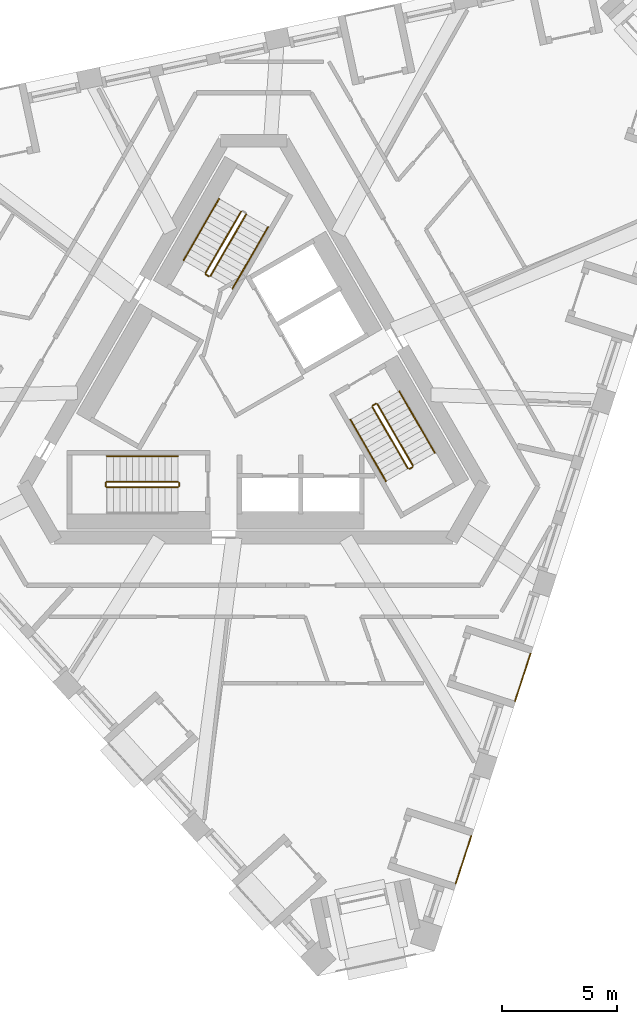
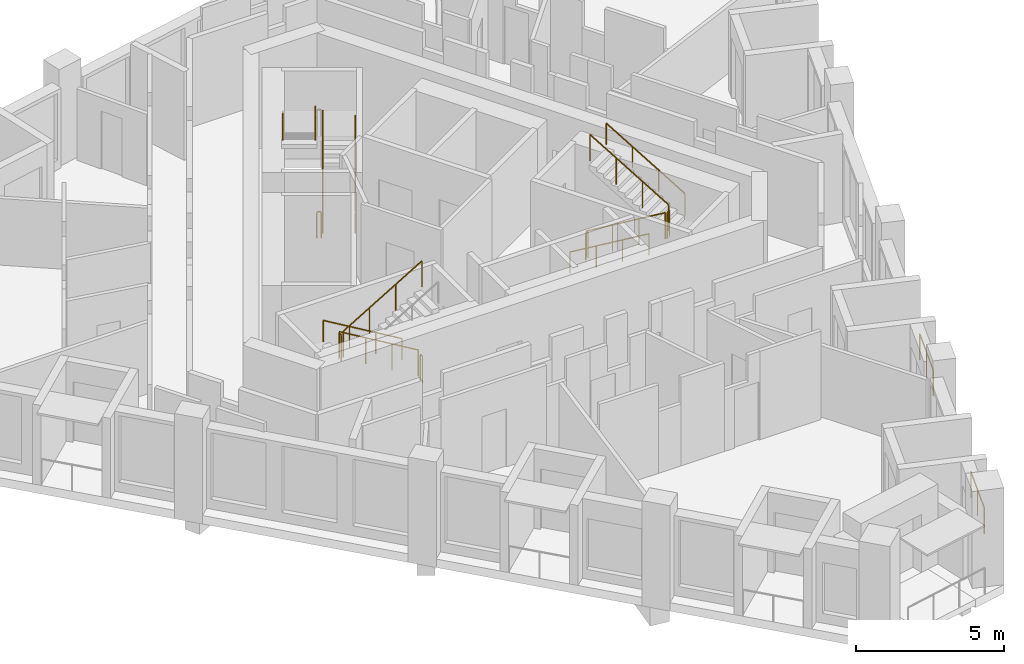
# One storey, part 10 of 12: 18 railings.
"""IFC4 building model written with IfcOpenShell, lengths in metres."""

from ifc_helpers import new_model, si_unit, direction, frame, origin, origin_2d, place, context, subcontext, project, spatial, circle, extrude, material, type_object, element, save


model = new_model("IFC4")

# Units and contexts
model_context = context("Model", 3, precision=1e-05, world=origin(), true_north=direction((0.0, 1.0)))
body_context = subcontext(model_context, "Body", "Model", "MODEL_VIEW")
ifc_project = project(units=[si_unit("LENGTHUNIT", "METRE"), si_unit("AREAUNIT", "SQUARE_METRE"), si_unit("VOLUMEUNIT", "CUBIC_METRE"), si_unit("PLANEANGLEUNIT", "RADIAN"), si_unit("MASSUNIT", "GRAM", prefix="KILO")], contexts=[model_context])

# Site, building, storey
site_placement = place(None, origin())
site = spatial("IfcSite", under=ifc_project, at=site_placement, CompositionType="ELEMENT")
building_placement = place(site_placement, origin())
building = spatial("IfcBuilding", under=site, at=building_placement, Name="Tramontana Tower", CompositionType="ELEMENT")
storey_placement = place(building_placement, frame((0.0, 0.0, 320.39990234375)))
storey = spatial("IfcBuildingStorey", under=building, at=storey_placement, Name="L73", CompositionType="ELEMENT", Elevation=320.39990234375)

# Railings
ifc_material_1 = material(Name="Laminated glass balustrade", Category="glass")
railing_type_1 = type_object("IfcRailingType", Name="GD1 Loggia glass balustrade 1100", PredefinedType="BALUSTRADE", material=ifc_material_1)
for number, where, name in (
    (1, (8.763671875, -21.472412109375, 0.0), "Loggia balustrade L73 G8S1.1"),
    (2, (11.332763671875, -13.5654296875, 0.0), "Loggia balustrade L73 G8S1.4"),
):
    element("IfcRailing", number, at=place(storey_placement, frame(where)), inside=storey, type_object=railing_type_1, Name=name, PredefinedType="BALUSTRADE", context=body_context, shape_type="SweptSolid", body=[
        extrude(circle(Radius=0.02392578125, at=origin_2d()), frame((0.0, 0.0, 1.076171875), z_axis=(0.308999623589, 0.95106216023, 0.0), x_axis=(-0.95106216023, 0.308999623589, 0.0)), (0.0, 0.0, 1.0), 2.171142578125),
        extrude(circle(Radius=0.02099609375, at=origin_2d()), origin(), (0.0, 0.0, 1.0), 1.052001953125),
        extrude(circle(Radius=0.02099609375, at=origin_2d()), frame((0.33544921875, 1.032470703125, 0.0)), (0.0, 0.0, 1.0), 1.052001953125),
        extrude(circle(Radius=0.02099609375, at=origin_2d()), frame((0.6708984375, 2.06494140625, 0.0)), (0.0, 0.0, 1.0), 1.052001953125),
    ])
ifc_material_2 = material(Name="Painted steel", Category="steel")
railing_type_2 = type_object("IfcRailingType", Name="STAIR GUARD 1100", PredefinedType="GUARDRAIL", material=ifc_material_2)
railing_1_placement = place(storey_placement, frame((-1.867431640625, 4.865478515625, 0.166748046875)))
element("IfcRailing", 3, at=railing_1_placement, inside=storey, type_object=railing_type_2, Name="L73 ST1 stair guard 1", PredefinedType="GUARDRAIL", context=body_context, shape_type="SweptSolid", body=[
    extrude(circle(Radius=0.02392578125, at=origin_2d()), frame((0.0, 0.0, 1.076171875), z_axis=(0.429649414936, 0.744189839504, 0.511451721109), x_axis=(-0.866029832698, 0.499992328818, 0.0)), (0.0, 0.0, 1.0), 3.58447265625),
    extrude(circle(Radius=0.02099609375, at=origin_2d()), origin(), (0.0, 0.0, 1.0), 1.052001953125),
    extrude(circle(Radius=0.02099609375, at=origin_2d()), frame((0.513427734375, 0.88916015625, 0.611083984375)), (0.0, 0.0, 1.0), 1.052001953125),
    extrude(circle(Radius=0.02099609375, at=origin_2d()), frame((1.026611328125, 1.7783203125, 1.22216796875)), (0.0, 0.0, 1.0), 1.052001953125),
    extrude(circle(Radius=0.02099609375, at=origin_2d()), frame((1.5400390625, 2.66748046875, 1.833251953125)), (0.0, 0.0, 1.0), 1.052001953125),
])
railing_2_placement = place(storey_placement, frame((-0.5439453125, 7.657958984375, 2.166748046875)))
element("IfcRailing", 4, at=railing_2_placement, inside=storey, type_object=railing_type_2, Name="L73 ST1 stair guard 2", PredefinedType="GUARDRAIL", context=body_context, shape_type="SweptSolid", body=[
    extrude(circle(Radius=0.02392578125, at=origin_2d()), frame((0.0, 0.0, 1.076171875), z_axis=(-0.429649414936, -0.744189839504, 0.511451721109), x_axis=(0.866029832698, -0.499992328818, 0.0)), (0.0, 0.0, 1.0), 3.58447265625),
    extrude(circle(Radius=0.02099609375, at=origin_2d()), origin(), (0.0, 0.0, 1.0), 1.052001953125),
    extrude(circle(Radius=0.02099609375, at=origin_2d()), frame((-0.513427734375, -0.88916015625, 0.611083984375)), (0.0, 0.0, 1.0), 1.052001953125),
    extrude(circle(Radius=0.02099609375, at=origin_2d()), frame((-1.026611328125, -1.7783203125, 1.22216796875)), (0.0, 0.0, 1.0), 1.052001953125),
    extrude(circle(Radius=0.02099609375, at=origin_2d()), frame((-1.5400390625, -2.66748046875, 1.833251953125)), (0.0, 0.0, 1.0), 1.052001953125),
])
railing_3_placement = place(storey_placement, frame((-1.935791015625, 4.84716796875, 0.0)))
element("IfcRailing", 5, at=railing_3_placement, inside=storey, type_object=railing_type_2, Name="L73 ST1 stair guard 4", PredefinedType="GUARDRAIL", context=body_context, shape_type="SweptSolid", body=[
    extrude(circle(Radius=0.02392578125, at=origin_2d()), frame((0.0, 0.0, 1.076171875), z_axis=(-0.865426285481, 0.501036270542, 0.0), x_axis=(-0.501036270542, -0.865426285481, 0.0)), (0.0, 0.0, 1.0), 0.150146484375),
    extrude(circle(Radius=0.02099609375, at=origin_2d()), origin(), (0.0, 0.0, 1.0), 1.052001953125),
    extrude(circle(Radius=0.02099609375, at=origin_2d()), frame((-0.1298828125, 0.0751953125, 0.0)), (0.0, 0.0, 1.0), 1.052001953125),
])
railing_4_placement = place(storey_placement, frame((-3.280029296875, -4.050048828125, 0.166748046875)))
element("IfcRailing", 6, at=railing_4_placement, inside=storey, type_object=railing_type_2, Name="L73 ST2 stair guard 1", PredefinedType="GUARDRAIL", context=body_context, shape_type="SweptSolid", body=[
    extrude(circle(Radius=0.02392578125, at=origin_2d()), frame((0.0, 0.0, 1.076171875), z_axis=(-0.859308565015, 0.0, 0.511457515432), x_axis=(0.0, -1.0, 0.0)), (0.0, 0.0, 1.0), 3.58447265625),
    extrude(circle(Radius=0.02099609375, at=origin_2d()), origin(), (0.0, 0.0, 1.0), 1.052001953125),
    extrude(circle(Radius=0.02099609375, at=origin_2d()), frame((-1.026611328125, 0.0, 0.611083984375)), (0.0, 0.0, 1.0), 1.052001953125),
    extrude(circle(Radius=0.02099609375, at=origin_2d()), frame((-2.053466796875, 0.0, 1.22216796875)), (0.0, 0.0, 1.0), 1.052001953125),
    extrude(circle(Radius=0.02099609375, at=origin_2d()), frame((-3.080078125, 0.0, 1.833251953125)), (0.0, 0.0, 1.0), 1.052001953125),
])
railing_5_placement = place(storey_placement, frame((-6.360107421875, -4.300048828125, 2.166748046875)))
element("IfcRailing", 7, at=railing_5_placement, inside=storey, type_object=railing_type_2, Name="L73 ST2 stair guard 2", PredefinedType="GUARDRAIL", context=body_context, shape_type="SweptSolid", body=[
    extrude(circle(Radius=0.02392578125, at=origin_2d()), frame((0.0, 0.0, 1.076171875), z_axis=(0.859308565015, 0.0, 0.511457515432), x_axis=(0.0, 1.0, 0.0)), (0.0, 0.0, 1.0), 3.58447265625),
    extrude(circle(Radius=0.02099609375, at=origin_2d()), origin(), (0.0, 0.0, 1.0), 1.052001953125),
    extrude(circle(Radius=0.02099609375, at=origin_2d()), frame((1.026611328125, 0.0, 0.611083984375)), (0.0, 0.0, 1.0), 1.052001953125),
    extrude(circle(Radius=0.02099609375, at=origin_2d()), frame((2.053466796875, 0.0, 1.22216796875)), (0.0, 0.0, 1.0), 1.052001953125),
    extrude(circle(Radius=0.02099609375, at=origin_2d()), frame((3.080078125, 0.0, 1.833251953125)), (0.0, 0.0, 1.0), 1.052001953125),
])
for number, where, name in (
    (8, (-6.409912109375, -4.10009765625, 2.0), "L73 ST2 stair guard 3"),
    (9, (-3.22998046875, -4.10009765625, 0.0), "L73 ST2 stair guard 4"),
):
    element("IfcRailing", number, at=place(storey_placement, frame(where)), inside=storey, type_object=railing_type_2, Name=name, PredefinedType="GUARDRAIL", context=body_context, shape_type="SweptSolid", body=[
        extrude(circle(Radius=0.02392578125, at=origin_2d()), frame((0.0, 0.0, 1.076171875), z_axis=(0.0, -1.0, 0.0), x_axis=(1.0, 0.0, 0.0)), (0.0, 0.0, 1.0), 0.14990234375),
        extrude(circle(Radius=0.02099609375, at=origin_2d()), origin(), (0.0, 0.0, 1.0), 1.052001953125),
        extrude(circle(Radius=0.02099609375, at=origin_2d()), frame((0.0, -0.14990234375, 0.0)), (0.0, 0.0, 1.0), 1.052001953125),
    ])
railing_6_placement = place(storey_placement, frame((5.1474609375, -0.815673828125, 0.166748046875)))
element("IfcRailing", 10, at=railing_6_placement, inside=storey, type_object=railing_type_2, Name="L73 ST3 stair guard 1", PredefinedType="GUARDRAIL", context=body_context, shape_type="SweptSolid", body=[
    extrude(circle(Radius=0.02392578125, at=origin_2d()), frame((0.0, 0.0, 1.076171875), z_axis=(0.429671193721, -0.744159446956, 0.511477646425), x_axis=(0.866010015463, 0.500026652407, 0.0)), (0.0, 0.0, 1.0), 3.584228515625),
    extrude(circle(Radius=0.02099609375, at=origin_2d()), origin(), (0.0, 0.0, 1.0), 1.052001953125),
    extrude(circle(Radius=0.02099609375, at=origin_2d()), frame((0.513427734375, -0.88916015625, 0.611083984375)), (0.0, 0.0, 1.0), 1.052001953125),
    extrude(circle(Radius=0.02099609375, at=origin_2d()), frame((1.026611328125, -1.778076171875, 1.22216796875)), (0.0, 0.0, 1.0), 1.052001953125),
    extrude(circle(Radius=0.02099609375, at=origin_2d()), frame((1.5400390625, -2.667236328125, 1.833251953125)), (0.0, 0.0, 1.0), 1.052001953125),
])
railing_7_placement = place(storey_placement, frame((6.90380859375, -3.35791015625, 2.166748046875)))
element("IfcRailing", 11, at=railing_7_placement, inside=storey, type_object=railing_type_2, Name="L73 ST3 stair guard 2", PredefinedType="GUARDRAIL", context=body_context, shape_type="SweptSolid", body=[
    extrude(circle(Radius=0.02392578125, at=origin_2d()), frame((0.0, 0.0, 1.076171875), z_axis=(-0.429615651263, 0.74418122563, 0.511492615401), x_axis=(-0.866044340336, -0.499967199496, 0.0)), (0.0, 0.0, 1.0), 3.584228515625),
    extrude(circle(Radius=0.02099609375, at=origin_2d()), origin(), (0.0, 0.0, 1.0), 1.052001953125),
    extrude(circle(Radius=0.02099609375, at=origin_2d()), frame((-0.51318359375, 0.88916015625, 0.611083984375)), (0.0, 0.0, 1.0), 1.052001953125),
    extrude(circle(Radius=0.02099609375, at=origin_2d()), frame((-1.026611328125, 1.778076171875, 1.22216796875)), (0.0, 0.0, 1.0), 1.052001953125),
    extrude(circle(Radius=0.02099609375, at=origin_2d()), frame((-1.539794921875, 2.667236328125, 1.833251953125)), (0.0, 0.0, 1.0), 1.052001953125),
])
for number, where, name in (
    (12, (6.755615234375, -3.501220703125, 2.0), "L73 ST3 stair guard 3"),
    (13, (5.165771484375, -0.747314453125, 0.0), "L73 ST3 stair guard 4"),
):
    element("IfcRailing", number, at=place(storey_placement, frame(where)), inside=storey, type_object=railing_type_2, Name=name, PredefinedType="GUARDRAIL", context=body_context, shape_type="SweptSolid", body=[
        extrude(circle(Radius=0.02392578125, at=origin_2d()), frame((0.0, 0.0, 1.076171875), z_axis=(0.866131372301, 0.499816412211, 0.0), x_axis=(-0.499816412211, 0.866131372301, 0.0)), (0.0, 0.0, 1.0), 0.14990234375),
        extrude(circle(Radius=0.02099609375, at=origin_2d()), origin(), (0.0, 0.0, 1.0), 1.052001953125),
        extrude(circle(Radius=0.02099609375, at=origin_2d()), frame((0.1298828125, 0.074951171875, 0.0)), (0.0, 0.0, 1.0), 1.052001953125),
    ])
ifc_material_3 = material(Name="Painted steel", Category="steel")
railing_type_3 = type_object("IfcRailingType", Name="STAIR HANDRAIL 900", PredefinedType="HANDRAIL", material=ifc_material_3)
railing_8_placement = place(storey_placement, frame((-0.914794921875, 4.315673828125, 0.166748046875)))
element("IfcRailing", 14, at=railing_8_placement, inside=storey, type_object=railing_type_3, Name="L73 ST1 stair handrail 1", PredefinedType="HANDRAIL", context=body_context, shape_type="SweptSolid", body=[
    extrude(circle(Radius=0.02392578125, at=origin_2d()), frame((0.0, 0.0, 0.8759765625), z_axis=(0.429671193721, 0.744159446956, 0.511477646425), x_axis=(-0.866010015463, 0.500026652407, 0.0)), (0.0, 0.0, 1.0), 3.584228515625),
    extrude(circle(Radius=0.02099609375, at=origin_2d()), origin(), (0.0, 0.0, 1.0), 0.851806640625),
    extrude(circle(Radius=0.02099609375, at=origin_2d()), frame((0.513427734375, 0.88916015625, 0.611083984375)), (0.0, 0.0, 1.0), 0.851806640625),
    extrude(circle(Radius=0.02099609375, at=origin_2d()), frame((1.026611328125, 1.778076171875, 1.22216796875)), (0.0, 0.0, 1.0), 0.851806640625),
    extrude(circle(Radius=0.02099609375, at=origin_2d()), frame((1.5400390625, 2.667236328125, 1.833251953125)), (0.0, 0.0, 1.0), 0.851806640625),
])
railing_9_placement = place(storey_placement, frame((-1.49658203125, 8.2080078125, 2.166748046875)))
element("IfcRailing", 15, at=railing_9_placement, inside=storey, type_object=railing_type_3, Name="L73 ST1 stair handrail 2", PredefinedType="HANDRAIL", context=body_context, shape_type="SweptSolid", body=[
    extrude(circle(Radius=0.02392578125, at=origin_2d()), frame((0.0, 0.0, 0.8759765625), z_axis=(-0.429649414936, -0.744189839504, 0.511451721109), x_axis=(0.866029832698, -0.499992328818, 0.0)), (0.0, 0.0, 1.0), 3.58447265625),
    extrude(circle(Radius=0.02099609375, at=origin_2d()), origin(), (0.0, 0.0, 1.0), 0.851806640625),
    extrude(circle(Radius=0.02099609375, at=origin_2d()), frame((-0.513427734375, -0.88916015625, 0.611083984375)), (0.0, 0.0, 1.0), 0.851806640625),
    extrude(circle(Radius=0.02099609375, at=origin_2d()), frame((-1.026611328125, -1.7783203125, 1.22216796875)), (0.0, 0.0, 1.0), 0.851806640625),
    extrude(circle(Radius=0.02099609375, at=origin_2d()), frame((-1.5400390625, -2.66748046875, 1.833251953125)), (0.0, 0.0, 1.0), 0.851806640625),
])
railing_10_placement = place(storey_placement, frame((-3.280029296875, -2.949951171875, 0.166748046875)))
element("IfcRailing", 16, at=railing_10_placement, inside=storey, type_object=railing_type_3, Name="L73 ST2 stair handrail 1", PredefinedType="HANDRAIL", context=body_context, shape_type="SweptSolid", body=[
    extrude(circle(Radius=0.02392578125, at=origin_2d()), frame((0.0, 0.0, 0.8759765625), z_axis=(-0.859308565015, 0.0, 0.511457515432), x_axis=(0.0, -1.0, 0.0)), (0.0, 0.0, 1.0), 3.58447265625),
    extrude(circle(Radius=0.02099609375, at=origin_2d()), origin(), (0.0, 0.0, 1.0), 0.851806640625),
    extrude(circle(Radius=0.02099609375, at=origin_2d()), frame((-1.026611328125, 0.0, 0.611083984375)), (0.0, 0.0, 1.0), 0.851806640625),
    extrude(circle(Radius=0.02099609375, at=origin_2d()), frame((-2.053466796875, 0.0, 1.22216796875)), (0.0, 0.0, 1.0), 0.851806640625),
    extrude(circle(Radius=0.02099609375, at=origin_2d()), frame((-3.080078125, 0.0, 1.833251953125)), (0.0, 0.0, 1.0), 0.851806640625),
])
railing_11_placement = place(storey_placement, frame((4.19482421875, -1.365478515625, 0.166748046875)))
element("IfcRailing", 17, at=railing_11_placement, inside=storey, type_object=railing_type_3, Name="L73 ST3 stair handrail 1", PredefinedType="HANDRAIL", context=body_context, shape_type="SweptSolid", body=[
    extrude(circle(Radius=0.02392578125, at=origin_2d()), frame((0.0, 0.0, 0.8759765625), z_axis=(0.429649414936, -0.744189839504, 0.511451721109), x_axis=(0.866029832698, 0.499992328818, 0.0)), (0.0, 0.0, 1.0), 3.58447265625),
    extrude(circle(Radius=0.02099609375, at=origin_2d()), origin(), (0.0, 0.0, 1.0), 0.851806640625),
    extrude(circle(Radius=0.02099609375, at=origin_2d()), frame((0.513427734375, -0.88916015625, 0.611083984375)), (0.0, 0.0, 1.0), 0.851806640625),
    extrude(circle(Radius=0.02099609375, at=origin_2d()), frame((1.026611328125, -1.7783203125, 1.22216796875)), (0.0, 0.0, 1.0), 0.851806640625),
    extrude(circle(Radius=0.02099609375, at=origin_2d()), frame((1.5400390625, -2.66748046875, 1.833251953125)), (0.0, 0.0, 1.0), 0.851806640625),
])
railing_12_placement = place(storey_placement, frame((7.8564453125, -2.807861328125, 2.166748046875)))
element("IfcRailing", 18, at=railing_12_placement, inside=storey, type_object=railing_type_3, Name="L73 ST3 stair handrail 2", PredefinedType="HANDRAIL", context=body_context, shape_type="SweptSolid", body=[
    extrude(circle(Radius=0.02392578125, at=origin_2d()), frame((0.0, 0.0, 0.8759765625), z_axis=(-0.429615651263, 0.74418122563, 0.511492615401), x_axis=(-0.866044340336, -0.499967199496, 0.0)), (0.0, 0.0, 1.0), 3.584228515625),
    extrude(circle(Radius=0.02099609375, at=origin_2d()), origin(), (0.0, 0.0, 1.0), 0.851806640625),
    extrude(circle(Radius=0.02099609375, at=origin_2d()), frame((-0.51318359375, 0.88916015625, 0.611083984375)), (0.0, 0.0, 1.0), 0.851806640625),
    extrude(circle(Radius=0.02099609375, at=origin_2d()), frame((-1.026611328125, 1.778076171875, 1.22216796875)), (0.0, 0.0, 1.0), 0.851806640625),
    extrude(circle(Radius=0.02099609375, at=origin_2d()), frame((-1.539794921875, 2.667236328125, 1.833251953125)), (0.0, 0.0, 1.0), 0.851806640625),
])

save(model, "model.ifc")
